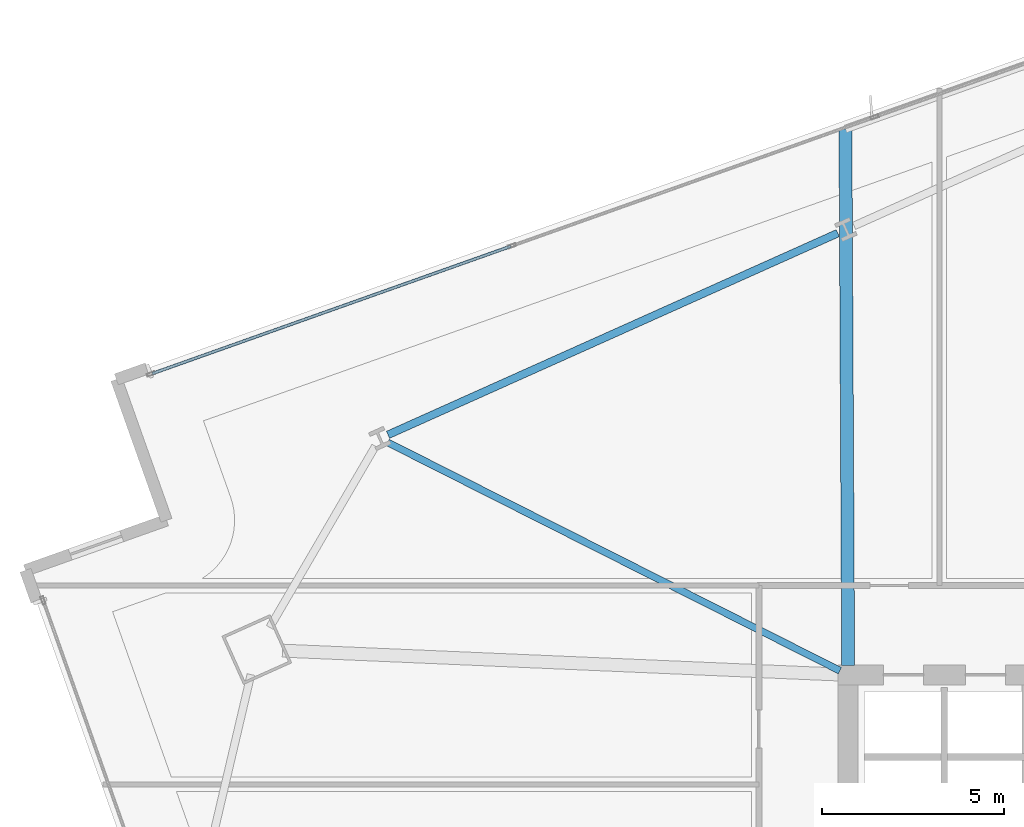
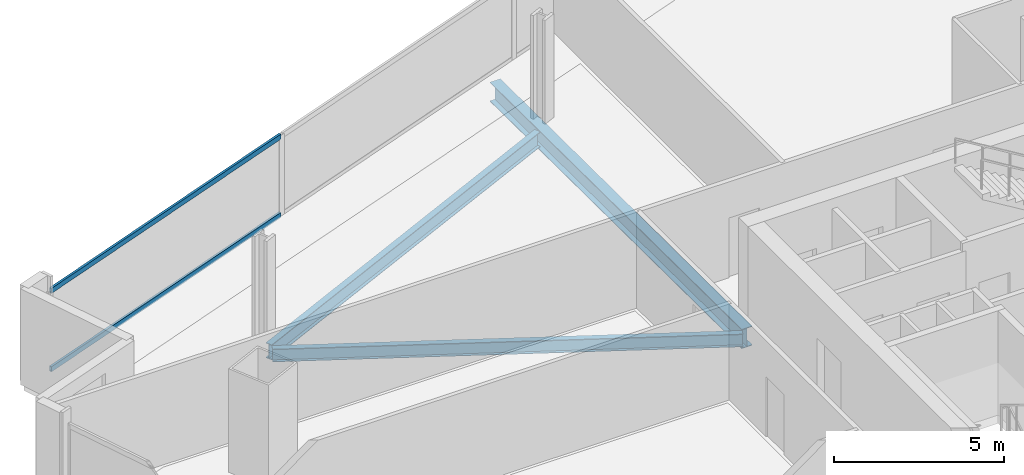
# One storey, part 17 of 33: 3 beams, 2 members, 1 element without a shape of its own.
"""IFC4 building model written with IfcOpenShell, lengths in metres."""

from ifc_helpers import new_model, si_unit, direction, frame, origin, origin_2d, place, context, subcontext, project, spatial, hollow_rectangle, i_section, extrude, material, material_profile, profile_set, type_object, element, aggregate, save


model = new_model("IFC4")

# Units and contexts
model_context = context("Model", 3, precision=1e-05, world=origin(), true_north=direction((0.0, 1.0)))
body_context = subcontext(model_context, "Body", "Model", "MODEL_VIEW")
ifc_project = project(units=[si_unit("LENGTHUNIT", "METRE"), si_unit("AREAUNIT", "SQUARE_METRE"), si_unit("VOLUMEUNIT", "CUBIC_METRE"), si_unit("PLANEANGLEUNIT", "RADIAN"), si_unit("MASSUNIT", "GRAM", prefix="KILO")], contexts=[model_context])

# Site, building, storey
site_placement = place(None, origin())
site = spatial("IfcSite", under=ifc_project, at=site_placement, CompositionType="ELEMENT")
building_placement = place(site_placement, origin())
building = spatial("IfcBuilding", under=site, at=building_placement, Name="Haldenkirk Collegiate Tower", CompositionType="ELEMENT")
storey_placement = place(building_placement, frame((0.0, 0.0, 94.199951171875)))
storey = spatial("IfcBuildingStorey", under=building, at=storey_placement, Name="L22", CompositionType="ELEMENT", Elevation=94.199951171875)

# Beams
ifc_material_1 = material(Name="Steel ASTM A992 Grade 50", Category="steel")
ifc_material_profile_1 = material_profile(ifc_material_1, i_section(OverallWidth=0.35498046875, OverallDepth=0.696044921875, WebThickness=0.015380859375, FlangeThickness=0.02490234375, at=origin_2d()), Name="W27X146")
ifc_profile_set_1 = profile_set([ifc_material_profile_1], Name="Steel ASTM A992 Grade 50")
beam_type_1 = type_object("IfcBeamType", Name="BM-GIRDER-W27X146", PredefinedType="BEAM", material=ifc_profile_set_1)
beam_1_placement = place(storey_placement, frame((26.923828125, 48.966796875, -0.64794921875), z_axis=(0.005094523996, -0.999987022828, 0.0), x_axis=(0.999987022828, 0.005094523996, 0.0)))
element("IfcBeam", 1, at=beam_1_placement, inside=storey, type_object=beam_type_1, Name="L22 primary floor girder 12", PredefinedType="BEAM", context=body_context, shape_type="SweptSolid", body=[
    extrude(i_section(OverallWidth=0.35498046875, OverallDepth=0.696044921875, WebThickness=0.015380859375, FlangeThickness=0.02490234375, at=origin_2d()), origin(), (0.0, 0.0, 1.0), 14.712158203125),
])
ifc_material_profile_2 = material_profile(ifc_material_1, i_section(OverallWidth=0.19189453125, OverallDepth=0.462890625, WebThickness=0.010498046875, FlangeThickness=0.017578125, at=origin_2d()), Name="W18X60")
ifc_profile_set_2 = profile_set([ifc_material_profile_2], Name="Steel ASTM A992 Grade 50")
beam_type_2 = type_object("IfcBeamType", Name="BM-JOIST-W18X60", PredefinedType="JOIST", material=ifc_profile_set_2)
beam_2_placement = place(storey_placement, frame((14.378662109375, 40.371337890625, -0.531494140625), z_axis=(0.892707841941, -0.450635893974, 0.0), x_axis=(0.450635893974, 0.892707841941, 0.0)))
element("IfcBeam", 2, at=beam_2_placement, inside=storey, type_object=beam_type_2, Name="L22 composite floor joist 13", PredefinedType="JOIST", context=body_context, shape_type="SweptSolid", body=[
    extrude(i_section(OverallWidth=0.19189453125, OverallDepth=0.462890625, WebThickness=0.010498046875, FlangeThickness=0.017578125, at=origin_2d()), origin(), (0.0, 0.0, 1.0), 13.88330078125),
])
ifc_material_profile_3 = material_profile(ifc_material_1, i_section(OverallWidth=0.2119140625, OverallDepth=0.5439453125, WebThickness=0.01318359375, FlangeThickness=0.021240234375, at=origin_2d()), Name="W21X83")
ifc_profile_set_3 = profile_set([ifc_material_profile_3], Name="Steel ASTM A992 Grade 50")
beam_type_3 = type_object("IfcBeamType", Name="BM-SPANDREL-W21X83", PredefinedType="SPANDREL", material=ifc_profile_set_3)
beam_3_placement = place(storey_placement, frame((26.7138671875, 46.111083984375, -0.572021484375), z_axis=(-0.912476765144, -0.409128528793, 0.0), x_axis=(0.409128528793, -0.912476765144, 0.0)))
element("IfcBeam", 3, at=beam_3_placement, inside=storey, type_object=beam_type_3, Name="L22 perimeter spandrel beam 11", PredefinedType="SPANDREL", context=body_context, shape_type="SweptSolid", body=[
    extrude(i_section(OverallWidth=0.2119140625, OverallDepth=0.5439453125, WebThickness=0.01318359375, FlangeThickness=0.021240234375, at=origin_2d()), origin(), (0.0, 0.0, 1.0), 13.512939453125),
])

# Curtain wall, members
ifc_material_2 = material(Name="Anodised architectural bronze aluminium", Category="aluminium")
curtain_wall_type = type_object("IfcCurtainWallType", Name="CW-SYS1-CONVEX-LOW", PredefinedType="USERDEFINED", material=ifc_material_2)
curtain_wall_placement = place(storey_placement, origin())
curtain_wall = element("IfcCurtainWall", 4, at=curtain_wall_placement, inside=storey, type_object=curtain_wall_type, Name="L22 Lower tower convex bronze-framed unitised curtain wall", ObjectType="UNITISED CURTAIN WALL", PredefinedType="USERDEFINED")
ifc_material_profile_4 = material_profile(ifc_material_2, hollow_rectangle(XDim=0.080078125, YDim=0.179931640625, WallThickness=0.0048828125, at=origin_2d()), Name="CW-TRN-1A")
ifc_profile_set_4 = profile_set([ifc_material_profile_4], Name="Anodised architectural bronze aluminium")
member_type = type_object("IfcMemberType", Name="CW-TRN-1A", PredefinedType="USERDEFINED", material=ifc_profile_set_4)
member_1_placement = place(storey_placement, frame((7.919677734375, 42.260986328125, 0.0400390625), z_axis=(0.94234728399, 0.334636513784, 0.0), x_axis=(-0.334636513784, 0.94234728399, 0.0)))
member_1 = element("IfcMember", 5, at=member_1_placement, type_object=member_type, Name="CW-1A transom 1.1", ObjectType="TRANSOM", PredefinedType="USERDEFINED", context=body_context, shape_type="SweptSolid", body=[
    extrude(hollow_rectangle(XDim=0.080078125, YDim=0.179931640625, WallThickness=0.0048828125, at=origin_2d()), origin(), (0.0, 0.0, 1.0), 10.429931640625),
])
member_2_placement = place(storey_placement, frame((7.919677734375, 42.260986328125, 2.861083984375), z_axis=(0.94234728399, 0.334636513784, 0.0), x_axis=(-0.334636513784, 0.94234728399, 0.0)))
member_2 = element("IfcMember", 6, at=member_2_placement, type_object=member_type, Name="CW-1A transom 1.2", ObjectType="TRANSOM", PredefinedType="USERDEFINED", context=body_context, shape_type="SweptSolid", body=[
    extrude(hollow_rectangle(XDim=0.080078125, YDim=0.179931640625, WallThickness=0.0048828125, at=origin_2d()), origin(), (0.0, 0.0, 1.0), 10.429931640625),
])
aggregate(curtain_wall, [member_1, member_2])

save(model, "model.ifc")
